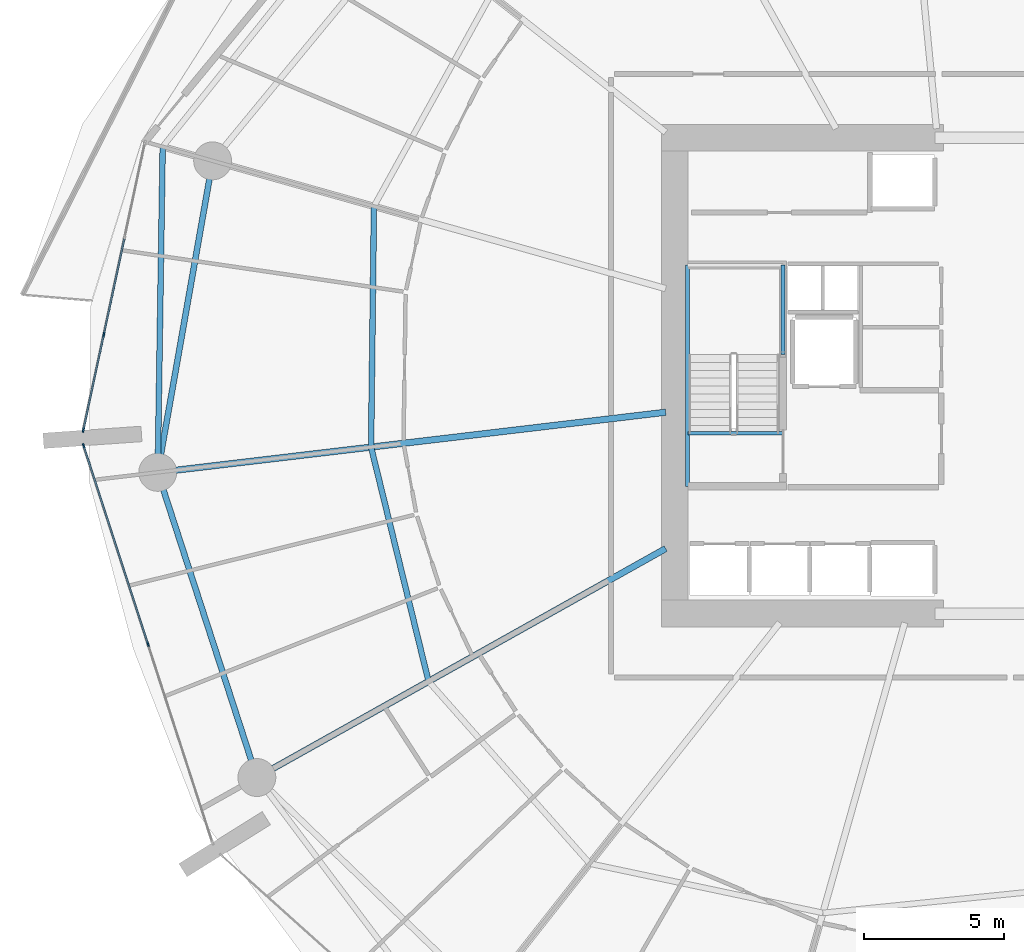
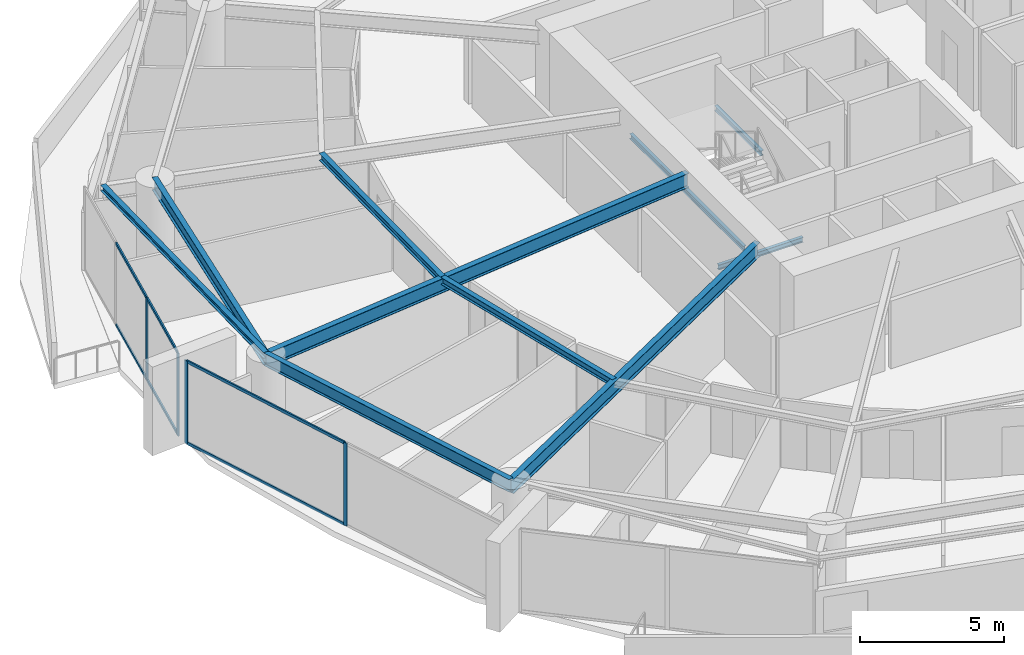
# One storey, part 8 of 31: 10 beams, 10 members, 2 elements without a shape of their own.
"""IFC4 building model written with IfcOpenShell, lengths in metres."""

from ifc_helpers import new_model, si_unit, direction, frame, origin, origin_2d, place, context, subcontext, project, spatial, rectangle, i_section, extrude, material, layer, layer_set, material_profile, profile_set, type_object, element, aggregate, save


model = new_model("IFC4")

# Units and contexts
model_context = context("Model", 3, precision=1e-05, world=origin(), true_north=direction((0.0, 1.0)))
body_context = subcontext(model_context, "Body", "Model", "MODEL_VIEW")
ifc_project = project(units=[si_unit("LENGTHUNIT", "METRE"), si_unit("AREAUNIT", "SQUARE_METRE"), si_unit("VOLUMEUNIT", "CUBIC_METRE"), si_unit("PLANEANGLEUNIT", "RADIAN"), si_unit("MASSUNIT", "GRAM", prefix="KILO")], contexts=[model_context])

# Site, building, storey
site_placement = place(None, origin())
site = spatial("IfcSite", under=ifc_project, at=site_placement, CompositionType="ELEMENT")
building_placement = place(site_placement, origin())
building = spatial("IfcBuilding", under=site, at=building_placement, Name="Kazma Halo Residences", CompositionType="ELEMENT")
storey_placement = place(building_placement, frame((0.0, 0.0, 37.64990234375)))
storey = spatial("IfcBuildingStorey", under=building, at=storey_placement, Name="L08", CompositionType="ELEMENT", Elevation=37.64990234375)

# Beams
ifc_material_1 = material(Name="Steel S355", Category="steel")
ifc_material_profile_1 = material_profile(ifc_material_1, i_section(OverallWidth=0.201904296875, OverallDepth=0.2470703125, WebThickness=0.00732421875, FlangeThickness=0.010986328125, FilletRadius=0.011962890625, at=origin_2d()), Name="W250x49.1")
ifc_profile_set_1 = profile_set([ifc_material_profile_1], Name="Steel S355")
beam_type_1 = type_object("IfcBeamType", Name="BM-BAL-CANT", PredefinedType="BEAM", material=ifc_profile_set_1)
beam_1_placement = place(storey_placement, frame((19.07861328125, 50.15673828125, 3.376708984375), z_axis=(-0.015213846033, -0.999884262747, 0.0), x_axis=(0.999884262747, -0.015213846033, 0.0)))
element("IfcBeam", 1, at=beam_1_placement, inside=storey, type_object=beam_type_1, Name="L08 wave-balcony tie beam 07", PredefinedType="BEAM", context=body_context, shape_type="SweptSolid", body=[
    extrude(i_section(OverallWidth=0.201904296875, OverallDepth=0.2470703125, WebThickness=0.00732421875, FlangeThickness=0.010986328125, FilletRadius=0.011962890625, at=origin_2d()), origin(), (0.0, 0.0, 1.0), 11.602294921875),
])
ifc_material_profile_2 = material_profile(ifc_material_1, i_section(OverallWidth=0.22802734375, OverallDepth=0.60791015625, WebThickness=0.01123046875, FlangeThickness=0.017333984375, FilletRadius=0.01806640625, at=origin_2d()), Name="W610x113")
ifc_profile_set_2 = profile_set([ifc_material_profile_2], Name="Steel S355")
beam_type_2 = type_object("IfcBeamType", Name="BM-RAD-W610", PredefinedType="BEAM", material=ifc_profile_set_2)
beam_2_placement = place(storey_placement, frame((37.0, 40.697998046875, 3.196044921875), z_axis=(-0.993068058728, -0.117540762013, 0.0), x_axis=(0.117540762013, -0.993068058728, 0.0)))
element("IfcBeam", 2, at=beam_2_placement, inside=storey, type_object=beam_type_2, Name="L08 radial floor beam 08", PredefinedType="BEAM", context=body_context, shape_type="SweptSolid", body=[
    extrude(i_section(OverallWidth=0.22802734375, OverallDepth=0.60791015625, WebThickness=0.01123046875, FlangeThickness=0.017333984375, FilletRadius=0.01806640625, at=origin_2d()), origin(), (0.0, 0.0, 1.0), 18.22412109375),
])
beam_3_placement = place(storey_placement, frame((37.0, 35.839599609375, 3.196044921875), z_axis=(-0.872496538947, -0.488620291767, 0.0), x_axis=(0.488620291767, -0.872496538947, 0.0)))
element("IfcBeam", 3, at=beam_3_placement, inside=storey, type_object=beam_type_2, Name="L08 radial floor beam 09", PredefinedType="BEAM", context=body_context, shape_type="SweptSolid", body=[
    extrude(i_section(OverallWidth=0.22802734375, OverallDepth=0.60791015625, WebThickness=0.01123046875, FlangeThickness=0.017333984375, FilletRadius=0.01806640625, at=origin_2d()), origin(), (0.0, 0.0, 1.0), 16.693359375),
])
ifc_material_profile_3 = material_profile(ifc_material_1, i_section(OverallWidth=0.202880859375, OverallDepth=0.302978515625, WebThickness=0.007568359375, FlangeThickness=0.01318359375, FilletRadius=0.013916015625, at=origin_2d()), Name="W310x60")
ifc_profile_set_3 = profile_set([ifc_material_profile_3], Name="Steel S355")
beam_type_3 = type_object("IfcBeamType", Name="BM-SEC-W310A", PredefinedType="JOIST", material=ifc_profile_set_3)
beam_4_placement = place(storey_placement, frame((26.605712890625, 48.033935546875, 3.3486328125), z_axis=(-0.011952697998, -0.999928563954, 0.0), x_axis=(0.999928563954, -0.011952697998, 0.0)))
element("IfcBeam", 4, at=beam_4_placement, inside=storey, type_object=beam_type_3, Name="L08 circumferential floor joist 07", PredefinedType="JOIST", context=body_context, shape_type="SweptSolid", body=[
    extrude(i_section(OverallWidth=0.202880859375, OverallDepth=0.302978515625, WebThickness=0.007568359375, FlangeThickness=0.01318359375, FilletRadius=0.013916015625, at=origin_2d()), origin(), (0.0, 0.0, 1.0), 8.578857421875),
])
beam_5_placement = place(storey_placement, frame((26.503173828125, 39.455810546875, 3.3486328125), z_axis=(0.238409585139, -0.971164697523, 0.0), x_axis=(0.971164697523, 0.238409585139, 0.0)))
element("IfcBeam", 5, at=beam_5_placement, inside=storey, type_object=beam_type_3, Name="L08 circumferential floor joist 08", PredefinedType="JOIST", context=body_context, shape_type="SweptSolid", body=[
    extrude(i_section(OverallWidth=0.202880859375, OverallDepth=0.302978515625, WebThickness=0.007568359375, FlangeThickness=0.01318359375, FilletRadius=0.013916015625, at=origin_2d()), origin(), (0.0, 0.0, 1.0), 8.5947265625),
])
ifc_material_profile_4 = material_profile(ifc_material_1, i_section(OverallWidth=0.208984375, OverallDepth=0.532958984375, WebThickness=0.01025390625, FlangeThickness=0.015625, FilletRadius=0.01611328125, at=origin_2d()), Name="W530x92")
ifc_profile_set_4 = profile_set([ifc_material_profile_4], Name="Steel S355")
beam_type_4 = type_object("IfcBeamType", Name="BM-SPN-W530", PredefinedType="BEAM", material=ifc_profile_set_4)
beam_6_placement = place(storey_placement, frame((20.859130859375, 49.654541015625, 3.233642578125), z_axis=(-0.173651864005, -0.984807103004, 0.0), x_axis=(0.984807103004, -0.173651864005, 0.0)))
element("IfcBeam", 6, at=beam_6_placement, inside=storey, type_object=beam_type_4, Name="L08 perimeter ring beam 07", PredefinedType="BEAM", context=body_context, shape_type="SweptSolid", body=[
    extrude(i_section(OverallWidth=0.208984375, OverallDepth=0.532958984375, WebThickness=0.01025390625, FlangeThickness=0.015625, FilletRadius=0.01611328125, at=origin_2d()), origin(), (0.0, 0.0, 1.0), 11.269775390625),
])
beam_7_placement = place(storey_placement, frame((18.902099609375, 38.555908203125, 3.233642578125), z_axis=(0.309024264898, -0.951054153928, 0.0), x_axis=(0.951054153928, 0.309024264898, 0.0)))
element("IfcBeam", 7, at=beam_7_placement, inside=storey, type_object=beam_type_4, Name="L08 perimeter ring beam 08", PredefinedType="BEAM", context=body_context, shape_type="SweptSolid", body=[
    extrude(i_section(OverallWidth=0.208984375, OverallDepth=0.532958984375, WebThickness=0.01025390625, FlangeThickness=0.015625, FilletRadius=0.01611328125, at=origin_2d()), origin(), (0.0, 0.0, 1.0), 11.4326171875),
])
ifc_material_profile_5 = material_profile(ifc_material_1, i_section(OverallWidth=0.133056640625, OverallDepth=0.20703125, WebThickness=0.005859375, FlangeThickness=0.00830078125, FilletRadius=0.010009765625, at=origin_2d()), Name="W200x26.6")
ifc_profile_set_5 = profile_set([ifc_material_profile_5], Name="Steel S355")
beam_type_5 = type_object("IfcBeamType", Name="BM-TRIM-W200", PredefinedType="BEAM", material=ifc_profile_set_5)
beam_8_placement = place(storey_placement, frame((37.800048828125, 39.949951171875, -0.35986328125), z_axis=(1.0, 0.0, 0.0), x_axis=(0.0, 1.0, 0.0)))
element("IfcBeam", 8, at=beam_8_placement, inside=storey, type_object=beam_type_5, Name="L08 ST-01 floor landing support beam", PredefinedType="BEAM", context=body_context, shape_type="SweptSolid", body=[
    extrude(i_section(OverallWidth=0.133056640625, OverallDepth=0.20703125, WebThickness=0.005859375, FlangeThickness=0.00830078125, FilletRadius=0.010009765625, at=origin_2d()), origin(), (0.0, 0.0, 1.0), 3.3798828125),
])
beam_9_placement = place(storey_placement, frame((37.780029296875, 38.06005859375, 1.570068359375), z_axis=(0.0, 1.0, 0.0), x_axis=(-1.0, 0.0, 0.0)))
element("IfcBeam", 9, at=beam_9_placement, inside=storey, type_object=beam_type_5, Name="L08 ST-01 landing west wall ledger", PredefinedType="BEAM", context=body_context, shape_type="SweptSolid", body=[
    extrude(i_section(OverallWidth=0.133056640625, OverallDepth=0.20703125, WebThickness=0.005859375, FlangeThickness=0.00830078125, FilletRadius=0.010009765625, at=origin_2d()), origin(), (0.0, 0.0, 1.0), 7.8798828125),
])
beam_10_placement = place(storey_placement, frame((41.179931640625, 42.75, 1.570068359375), z_axis=(0.0, 1.0, 0.0), x_axis=(-1.0, 0.0, 0.0)))
element("IfcBeam", 10, at=beam_10_placement, inside=storey, type_object=beam_type_5, Name="L08 ST-01 landing east wall ledger", PredefinedType="BEAM", context=body_context, shape_type="SweptSolid", body=[
    extrude(i_section(OverallWidth=0.133056640625, OverallDepth=0.20703125, WebThickness=0.005859375, FlangeThickness=0.00830078125, FilletRadius=0.010009765625, at=origin_2d()), origin(), (0.0, 0.0, 1.0), 3.18994140625),
])

# Curtain wall, members
ifc_material_2 = material(Name="Aluminium AW-6063 T6 and Triple-Silver Low-E Glass", Category="aluminium")
ifc_layer = layer(ifc_material_2, 0.159912109375)
ifc_layer_set = layer_set([ifc_layer], Name="Aluminium AW-6063 T6 and Triple-Silver Low-E Glass")
curtain_wall_type = type_object("IfcCurtainWallType", Name="CW-SYS-2", PredefinedType="NOTDEFINED", material=ifc_layer_set)
curtain_wall_1_placement = place(storey_placement, origin())
curtain_wall_1 = element("IfcCurtainWall", 11, at=curtain_wall_1_placement, inside=storey, type_object=curtain_wall_type, Name="L08 unitised curtain wall B07", PredefinedType="NOTDEFINED")
ifc_material_3 = material(Name="Aluminium AW-6063 T6", Category="aluminium")
ifc_material_profile_6 = material_profile(ifc_material_3, rectangle(XDim=0.06005859375, YDim=0.159912109375, at=origin_2d()), Name="CWM-60x160")
ifc_profile_set_6 = profile_set([ifc_material_profile_6], Name="Aluminium AW-6063 T6")
member_type_1 = type_object("IfcMemberType", Name="CW-SYS-2-MUL", PredefinedType="MULLION", material=ifc_profile_set_6)
member_1_placement = place(storey_placement, frame((16.980712890625, 43.46435546875, 0.0), z_axis=(0.0, 0.0, 1.0), x_axis=(0.977779215096, -0.209637321406, 0.0)))
member_1 = element("IfcMember", 12, at=member_1_placement, type_object=member_type_1, Name="CWS-2 mullion 3", PredefinedType="MULLION", context=body_context, shape_type="SweptSolid", body=[
    extrude(rectangle(XDim=0.06005859375, YDim=0.159912109375, at=origin_2d()), origin(), (0.0, 0.0, 1.0), 3.5),
])
member_2_placement = place(storey_placement, frame((16.25048828125, 40.059326171875, 0.0), z_axis=(0.0, 0.0, 1.0), x_axis=(0.977779215096, -0.209637321406, 0.0)))
member_2 = element("IfcMember", 13, at=member_2_placement, type_object=member_type_1, Name="CWS-2 mullion 4", PredefinedType="MULLION", context=body_context, shape_type="SweptSolid", body=[
    extrude(rectangle(XDim=0.06005859375, YDim=0.159912109375, at=origin_2d()), origin(), (0.0, 0.0, 1.0), 3.5),
])

curtain_wall_2_placement = place(storey_placement, origin())
curtain_wall_2 = element("IfcCurtainWall", 14, at=curtain_wall_2_placement, inside=storey, type_object=curtain_wall_type, Name="L08 unitised curtain wall B08", PredefinedType="NOTDEFINED")
member_3_placement = place(storey_placement, frame((16.26171875, 39.500732421875, 0.0), z_axis=(0.0, 0.0, 1.0), x_axis=(0.95105652404, 0.309016970539, 0.0)))
member_3 = element("IfcMember", 15, at=member_3_placement, type_object=member_type_1, Name="CWS-2 mullion 1", PredefinedType="MULLION", context=body_context, shape_type="SweptSolid", body=[
    extrude(rectangle(XDim=0.06005859375, YDim=0.159912109375, at=origin_2d()), origin(), (0.0, 0.0, 1.0), 3.5),
])
member_4_placement = place(storey_placement, frame((18.55810546875, 32.43359375, 0.0), z_axis=(0.0, 0.0, 1.0), x_axis=(0.95105652404, 0.309016970539, 0.0)))
member_4 = element("IfcMember", 16, at=member_4_placement, type_object=member_type_1, Name="CWS-2 mullion 2", PredefinedType="MULLION", context=body_context, shape_type="SweptSolid", body=[
    extrude(rectangle(XDim=0.06005859375, YDim=0.159912109375, at=origin_2d()), origin(), (0.0, 0.0, 1.0), 3.5),
])

# Member
ifc_material_profile_7 = material_profile(ifc_material_3, rectangle(XDim=0.06005859375, YDim=0.1201171875, at=origin_2d()), Name="CWT-60x120")
ifc_profile_set_7 = profile_set([ifc_material_profile_7], Name="Aluminium AW-6063 T6")
member_type_2 = type_object("IfcMemberType", Name="CW-SYS-2-TRN", PredefinedType="USERDEFINED", material=ifc_profile_set_7)
member_5_placement = place(storey_placement, frame((17.710693359375, 46.869384765625, 0.030029296875), z_axis=(-0.209669136217, -0.977772393412, 0.0), x_axis=(0.977772393412, -0.209669136217, 0.0)))
member_5 = element("IfcMember", 17, at=member_5_placement, type_object=member_type_2, Name="CWS-2 transom 2.1", ObjectType="TRANSOM", PredefinedType="USERDEFINED", context=body_context, shape_type="SweptSolid", body=[
    extrude(rectangle(XDim=0.06005859375, YDim=0.1201171875, at=origin_2d()), origin(), (0.0, 0.0, 1.0), 3.452392578125),
])

member_6_placement = place(storey_placement, frame((17.710693359375, 46.869384765625, 3.47021484375), z_axis=(-0.209669136217, -0.977772393412, 0.0), x_axis=(0.977772393412, -0.209669136217, 0.0)))
member_6 = element("IfcMember", 18, at=member_6_placement, type_object=member_type_2, Name="CWS-2 transom 2.2", ObjectType="TRANSOM", PredefinedType="USERDEFINED", context=body_context, shape_type="SweptSolid", body=[
    extrude(rectangle(XDim=0.06005859375, YDim=0.1201171875, at=origin_2d()), origin(), (0.0, 0.0, 1.0), 3.452392578125),
])

member_7_placement = place(storey_placement, frame((16.974365234375, 43.434814453125, 0.030029296875), z_axis=(-0.209665500897, -0.977773172946, 0.0), x_axis=(0.977773172946, -0.209665500897, 0.0)))
member_7 = element("IfcMember", 19, at=member_7_placement, type_object=member_type_2, Name="CWS-2 transom 3.1", ObjectType="TRANSOM", PredefinedType="USERDEFINED", context=body_context, shape_type="SweptSolid", body=[
    extrude(rectangle(XDim=0.06005859375, YDim=0.1201171875, at=origin_2d()), origin(), (0.0, 0.0, 1.0), 3.42236328125),
])

member_8_placement = place(storey_placement, frame((16.974365234375, 43.434814453125, 3.47021484375), z_axis=(-0.209665500897, -0.977773172946, 0.0), x_axis=(0.977773172946, -0.209665500897, 0.0)))
member_8 = element("IfcMember", 20, at=member_8_placement, type_object=member_type_2, Name="CWS-2 transom 3.2", ObjectType="TRANSOM", PredefinedType="USERDEFINED", context=body_context, shape_type="SweptSolid", body=[
    extrude(rectangle(XDim=0.06005859375, YDim=0.1201171875, at=origin_2d()), origin(), (0.0, 0.0, 1.0), 3.42236328125),
])

aggregate(curtain_wall_1, [member_1, member_2, member_5, member_6, member_7, member_8])

member_9_placement = place(storey_placement, frame((16.27099609375, 39.47216796875, 0.030029296875), z_axis=(0.309034393795, -0.951050862705, 0.0), x_axis=(0.951050862705, 0.309034393795, 0.0)))
member_9 = element("IfcMember", 21, at=member_9_placement, type_object=member_type_2, Name="CWS-2 transom 1.1", ObjectType="TRANSOM", PredefinedType="USERDEFINED", context=body_context, shape_type="SweptSolid", body=[
    extrude(rectangle(XDim=0.06005859375, YDim=0.1201171875, at=origin_2d()), origin(), (0.0, 0.0, 1.0), 7.370849609375),
])

member_10_placement = place(storey_placement, frame((16.27099609375, 39.47216796875, 3.47021484375), z_axis=(0.309034393795, -0.951050862705, 0.0), x_axis=(0.951050862705, 0.309034393795, 0.0)))
member_10 = element("IfcMember", 22, at=member_10_placement, type_object=member_type_2, Name="CWS-2 transom 1.2", ObjectType="TRANSOM", PredefinedType="USERDEFINED", context=body_context, shape_type="SweptSolid", body=[
    extrude(rectangle(XDim=0.06005859375, YDim=0.1201171875, at=origin_2d()), origin(), (0.0, 0.0, 1.0), 7.370849609375),
])

aggregate(curtain_wall_2, [member_3, member_4, member_9, member_10])

save(model, "model.ifc")
